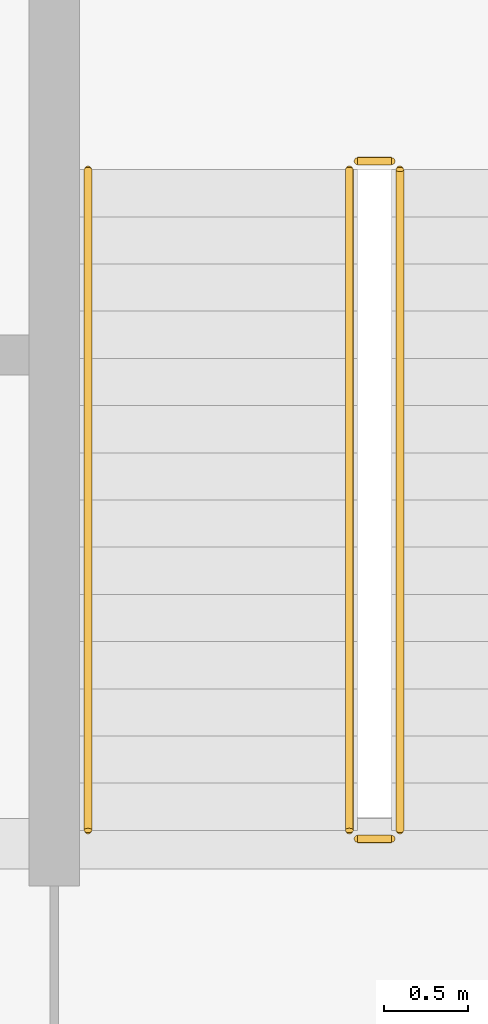
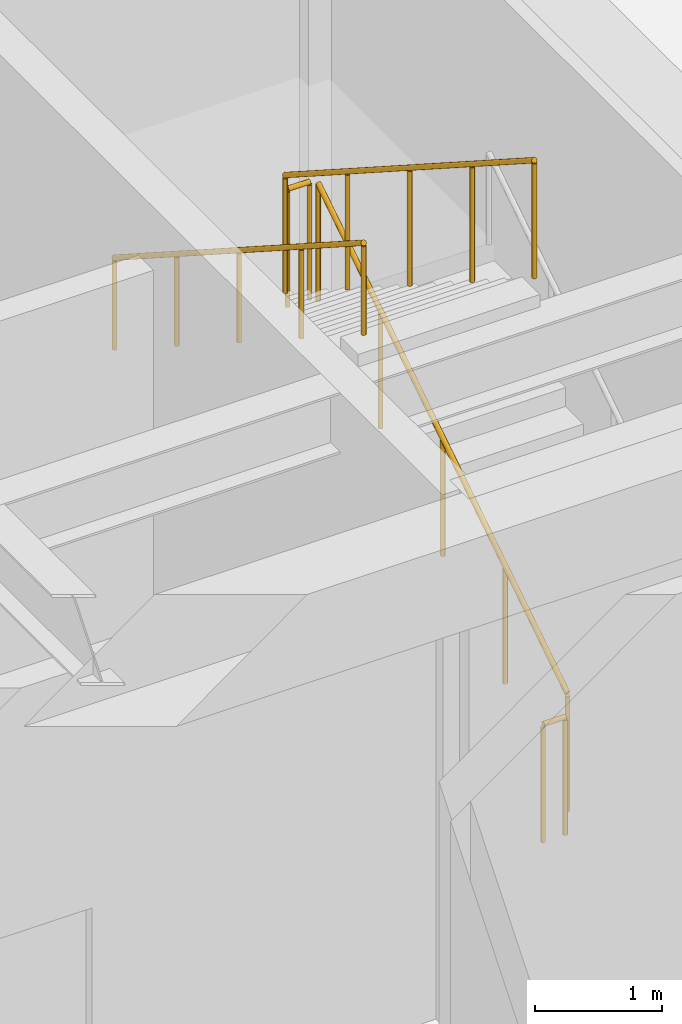
# One storey, part 33 of 34: 5 railings.
"""IFC4 building model written with IfcOpenShell, lengths in metres."""

from ifc_helpers import new_model, si_unit, direction, frame, origin, origin_2d, place, context, subcontext, project, spatial, circle, extrude, source, transform, mapped, material, type_object, type_shapes, element, save


model = new_model("IFC4")

# Units and contexts
model_context = context("Model", 3, precision=1e-05, world=origin(), true_north=direction((0.0, 1.0)))
body_context = subcontext(model_context, "Body", "Model", "MODEL_VIEW")
ifc_project = project(units=[si_unit("LENGTHUNIT", "METRE"), si_unit("AREAUNIT", "SQUARE_METRE"), si_unit("VOLUMEUNIT", "CUBIC_METRE"), si_unit("PLANEANGLEUNIT", "RADIAN"), si_unit("MASSUNIT", "GRAM", prefix="KILO")], contexts=[model_context])

# Site, building, storey
site_placement = place(None, origin())
site = spatial("IfcSite", under=ifc_project, at=site_placement, CompositionType="ELEMENT")
building_placement = place(site_placement, origin())
building = spatial("IfcBuilding", under=site, at=building_placement, Name="Haelvirn Gate Laboratories", CompositionType="ELEMENT")
storey_placement = place(building_placement, frame((0.0, 0.0, 191.199951171875)))
storey = spatial("IfcBuildingStorey", under=building, at=storey_placement, Name="L46", CompositionType="ELEMENT", Elevation=191.199951171875)

# Railings
ifc_material_1 = material(Name="Galvanised steel SM355 & stainless top rail", Category="steel")
railing_type_1 = type_object("IfcRailingType", Name="RL-GUARD-1150", PredefinedType="GUARDRAIL", material=ifc_material_1)
shared_shape_1 = source(origin(), body_context, "Body", "SweptSolid", [
    extrude(circle(Radius=0.02392578125, at=origin_2d()), frame((0.0, 0.0, 1.1259765625), z_axis=(0.0, 0.841186985886, 0.540744352514), x_axis=(-1.0, 0.0, 0.0)), (0.0, 0.0, 1.0), 4.660400390625),
    extrude(circle(Radius=0.02099609375, at=origin_2d()), origin(), (0.0, 0.0, 1.0), 1.101806640625),
    extrude(circle(Radius=0.02099609375, at=origin_2d()), frame((0.0, 0.97998046875, 0.6298828125)), (0.0, 0.0, 1.0), 1.101806640625),
    extrude(circle(Radius=0.02099609375, at=origin_2d()), frame((0.0, 1.9599609375, 1.260009765625)), (0.0, 0.0, 1.0), 1.101806640625),
    extrude(circle(Radius=0.02099609375, at=origin_2d()), frame((0.0, 2.940185546875, 1.89013671875)), (0.0, 0.0, 1.0), 1.101806640625),
    extrude(circle(Radius=0.02099609375, at=origin_2d()), frame((0.0, 3.920166015625, 2.52001953125)), (0.0, 0.0, 1.0), 1.101806640625),
])
railing_1_placement = place(storey_placement, frame((65.39990234375, 26.699951171875, 0.179931640625)))
element("IfcRailing", 1, at=railing_1_placement, inside=storey, type_object=railing_type_1, Name="L46 ST2 stair guard 1", PredefinedType="GUARDRAIL", context=body_context, shape_type="MappedRepresentation", body=[
    mapped(shared_shape_1, transform((0.0, 0.0, 0.0), scale=1.0)),
])
shared_shape_2 = source(origin(), body_context, "Body", "SweptSolid", [
    extrude(circle(Radius=0.02392578125, at=origin_2d()), frame((0.0, 0.0, 1.1259765625), z_axis=(0.0, -0.841186985886, 0.540744352514), x_axis=(1.0, 0.0, 0.0)), (0.0, 0.0, 1.0), 4.660400390625),
    extrude(circle(Radius=0.02099609375, at=origin_2d()), origin(), (0.0, 0.0, 1.0), 1.101806640625),
    extrude(circle(Radius=0.02099609375, at=origin_2d()), frame((0.0, -0.97998046875, 0.6298828125)), (0.0, 0.0, 1.0), 1.101806640625),
    extrude(circle(Radius=0.02099609375, at=origin_2d()), frame((0.0, -1.9599609375, 1.260009765625)), (0.0, 0.0, 1.0), 1.101806640625),
    extrude(circle(Radius=0.02099609375, at=origin_2d()), frame((0.0, -2.940185546875, 1.89013671875)), (0.0, 0.0, 1.0), 1.101806640625),
    extrude(circle(Radius=0.02099609375, at=origin_2d()), frame((0.0, -3.920166015625, 2.52001953125)), (0.0, 0.0, 1.0), 1.101806640625),
])
railing_2_placement = place(storey_placement, frame((65.10009765625, 30.6201171875, 2.880126953125)))
element("IfcRailing", 2, at=railing_2_placement, inside=storey, type_object=railing_type_1, Name="L46 ST2 stair guard 3", PredefinedType="GUARDRAIL", context=body_context, shape_type="MappedRepresentation", body=[
    mapped(shared_shape_2, transform((0.0, 0.0, 0.0), scale=1.0)),
])
ifc_material_2 = material(Name="Brushed stainless steel 316L", Category="steel")
railing_type_2 = type_object("IfcRailingType", Name="RL-HAND-920", PredefinedType="HANDRAIL", material=ifc_material_2)
shared_shape_3 = source(origin(), body_context, "Body", "SweptSolid", [
    extrude(circle(Radius=0.02392578125, at=origin_2d()), frame((0.0, 0.0, 0.8759765625), z_axis=(0.0, -0.841186985886, 0.540744352514), x_axis=(1.0, 0.0, 0.0)), (0.0, 0.0, 1.0), 4.660400390625),
    extrude(circle(Radius=0.02099609375, at=origin_2d()), origin(), (0.0, 0.0, 1.0), 0.851806640625),
    extrude(circle(Radius=0.02099609375, at=origin_2d()), frame((0.0, -0.97998046875, 0.6298828125)), (0.0, 0.0, 1.0), 0.851806640625),
    extrude(circle(Radius=0.02099609375, at=origin_2d()), frame((0.0, -1.9599609375, 1.260009765625)), (0.0, 0.0, 1.0), 0.851806640625),
    extrude(circle(Radius=0.02099609375, at=origin_2d()), frame((0.0, -2.940185546875, 1.89013671875)), (0.0, 0.0, 1.0), 0.851806640625),
    extrude(circle(Radius=0.02099609375, at=origin_2d()), frame((0.0, -3.920166015625, 2.52001953125)), (0.0, 0.0, 1.0), 0.851806640625),
])
type_shapes(railing_type_2, [shared_shape_3])
railing_3_placement = place(storey_placement, frame((63.550048828125, 30.6201171875, 2.880126953125)))
element("IfcRailing", 3, at=railing_3_placement, inside=storey, type_object=railing_type_2, Name="L46 ST2 stair handrail 2", PredefinedType="HANDRAIL", context=body_context, shape_type="MappedRepresentation", body=[
    mapped(shared_shape_3, transform((0.0, 0.0, 0.0), scale=1.0)),
])
shared_shape_4 = source(origin(), body_context, "Body", "SweptSolid", [
    extrude(circle(Radius=0.02392578125, at=origin_2d()), frame((0.0, 0.0, 1.1259765625), z_axis=(-1.0, 0.0, 0.0), x_axis=(0.0, -1.0, 0.0)), (0.0, 0.0, 1.0), 0.2001953125),
    extrude(circle(Radius=0.02099609375, at=origin_2d()), origin(), (0.0, 0.0, 1.0), 1.101806640625),
    extrude(circle(Radius=0.02099609375, at=origin_2d()), frame((-0.2001953125, 0.0, 0.0)), (0.0, 0.0, 1.0), 1.101806640625),
])
type_shapes(railing_type_1, [shared_shape_1, shared_shape_2, shared_shape_4])
for number, where, name in (
    (4, (65.35009765625, 30.669921875, 2.699951171875), "L46 ST2 stair guard 2"),
    (5, (65.35009765625, 26.64990234375, 0.0), "L46 ST2 stair guard 4"),
):
    element("IfcRailing", number, at=place(storey_placement, frame(where)), inside=storey, type_object=railing_type_1, Name=name, PredefinedType="GUARDRAIL", context=body_context, shape_type="MappedRepresentation", body=[
        mapped(shared_shape_4, transform((0.0, 0.0, 0.0), scale=1.0)),
    ])

save(model, "model.ifc")
